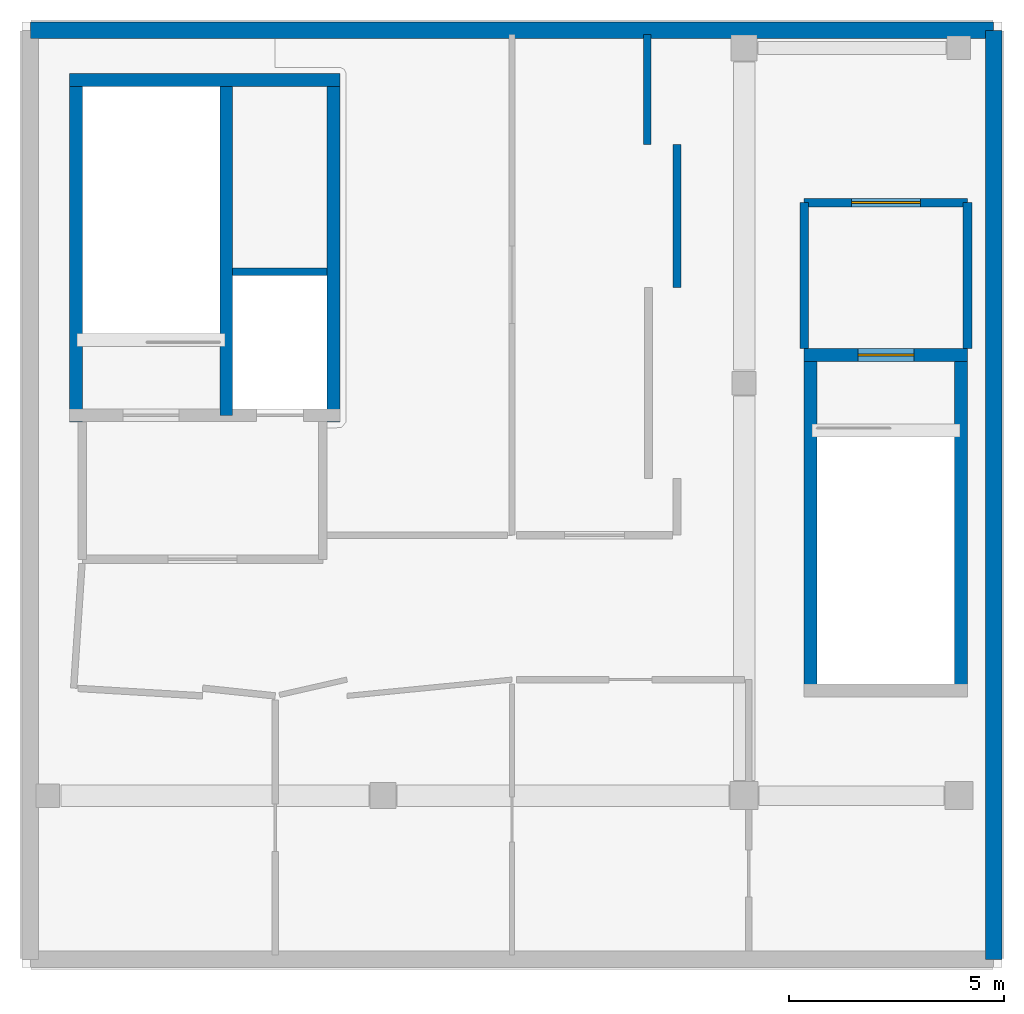
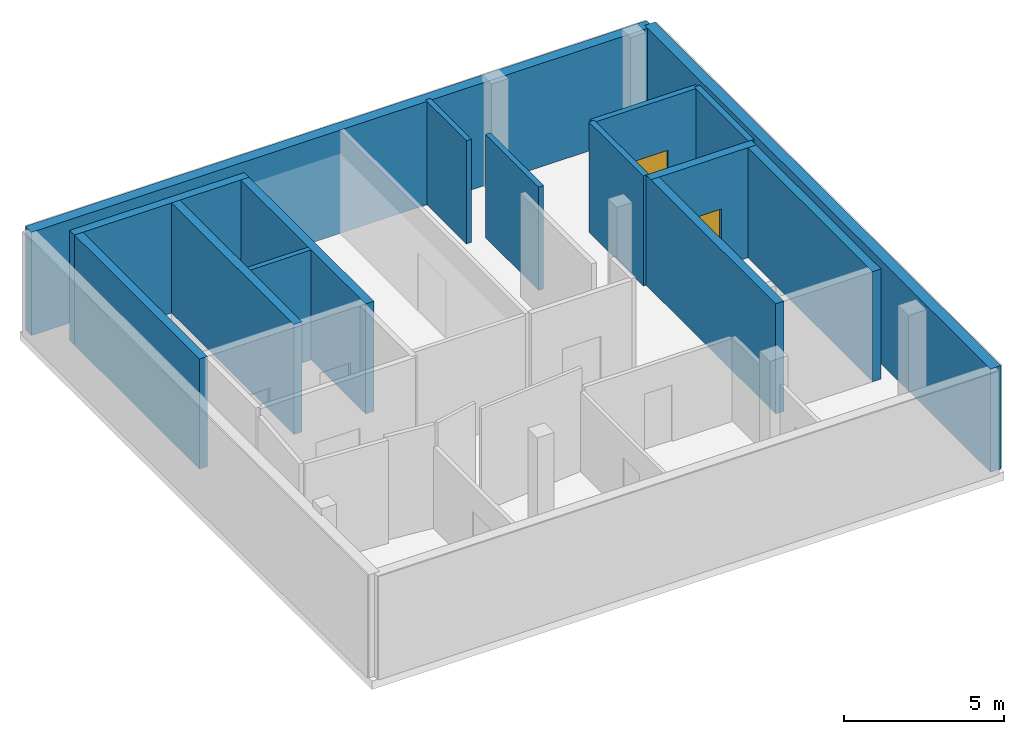
# One storey, part 2 of 3: 15 walls, 2 doors, 2 openings.
"""IFC4 building model written with IfcOpenShell, lengths in metres."""

from ifc_helpers import new_model, si_unit, direction, frame, frame_2d, origin, place, context, subcontext, project, spatial, rectangle, extrude, material, layer, layer_set, type_object, element, fill, save


model = new_model("IFC4")

# Units and contexts
model_context = context("Model", 3, precision=1e-05, world=origin(), true_north=direction((0.0, 1.0)))
body_context = subcontext(model_context, "Body", "Model", "MODEL_VIEW")
ifc_project = project(units=[si_unit("LENGTHUNIT", "METRE"), si_unit("AREAUNIT", "SQUARE_METRE"), si_unit("VOLUMEUNIT", "CUBIC_METRE"), si_unit("PLANEANGLEUNIT", "RADIAN"), si_unit("MASSUNIT", "GRAM", prefix="KILO")], contexts=[model_context])

# Site, building, storey
site_placement = place(None, origin())
site = spatial("IfcSite", under=ifc_project, at=site_placement, CompositionType="ELEMENT")
building_placement = place(site_placement, origin())
building = spatial("IfcBuilding", under=site, at=building_placement, Name="Mzevani Central Library", CompositionType="ELEMENT")
storey_placement = place(building_placement, frame((0.0, 0.0, 22.5)))
storey = spatial("IfcBuildingStorey", under=building, at=storey_placement, Name="L05", CompositionType="ELEMENT", Elevation=22.5)

# Wall
ifc_material_1 = material(Name="Concrete C35/45", Category="concrete")
ifc_layer_1 = layer(ifc_material_1, 0.199951171875, Name="Compartment Wall 200")
ifc_layer_set_1 = layer_set([ifc_layer_1], Name="Concrete C35/45")
wall_type_1 = type_object("IfcWallType", Name="Compartment Wall 200", PredefinedType="STANDARD", material=ifc_layer_set_1)
wall_1_placement = place(storey_placement, frame((30.60009765625, 110.39990234375, 0.0), z_axis=(0.0, 0.0, 1.0), x_axis=(0.0, 1.0, 0.0)))
element("IfcWall", 1, at=wall_1_placement, inside=storey, type_object=wall_type_1, Name="L05 Stair Vestibule C2B Enclosure Wall 1", PredefinedType="STANDARD", context=body_context, shape_type="SweptSolid", body=[
    extrude(rectangle(XDim=3.400146484375, YDim=0.199951171875, at=frame_2d((1.7001953125, 0.0))), origin(), (0.0, 0.0, 1.0), 4.199951171875),
])

# Wall, opening, door
wall_2_placement = place(storey_placement, frame((30.60009765625, 113.800048828125, 0.0), z_axis=(0.0, 0.0, 1.0), x_axis=(1.0, 0.0, 0.0)))
wall_2 = element("IfcWall", 2, at=wall_2_placement, inside=storey, type_object=wall_type_1, Name="L05 Stair Vestibule C2B Enclosure Wall 2", PredefinedType="STANDARD", context=body_context, shape_type="SweptSolid", body=[
    extrude(rectangle(XDim=3.7998046875, YDim=0.199951171875, at=frame_2d((1.89990234375, 0.0))), origin(), (0.0, 0.0, 1.0), 4.199951171875),
])
opening_1_placement = place(wall_2_placement, frame((1.10009765625, 0.0, 0.0)))
opening_1 = element("IfcOpeningElement", 3, at=opening_1_placement, cuts=wall_2, Name="Opening FD-02", PredefinedType="OPENING", context=body_context, shape_type="SweptSolid", body=[
    extrude(rectangle(XDim=1.60009765625, YDim=2.199951171875, at=frame_2d((0.800048828125, 1.10009765625))), frame((0.0, 0.10986328125, 0.0), z_axis=(0.0, -1.0, 0.0), x_axis=(1.0, 0.0, 0.0)), (0.0, 0.0, 1.0), 0.219970703125),
])
ifc_material_2 = material(Name="Fire-rated steel door assembly", Category="steel")
door_type_1 = type_object("IfcDoorType", Name="Fire Lobby Double Door 1600x2200", OperationType="NOTDEFINED", PredefinedType="DOOR", material=ifc_material_2)
door_1_placement = place(opening_1_placement, origin())
door_1 = element("IfcDoor", 4, at=door_1_placement, inside=storey, type_object=door_type_1, Name="L05 Stair Vestibule C2B Smoke-Control Door", OperationType="DOUBLE_DOOR_SINGLE_SWING", OverallHeight=2.199951171875, OverallWidth=1.60009765625, PredefinedType="DOOR", context=body_context, shape_type="SweptSolid", body=[
    extrude(rectangle(XDim=1.60009765625, YDim=2.199951171875, at=frame_2d((0.800048828125, 1.10009765625))), frame((0.0, 0.02490234375, 0.0), z_axis=(0.0, -1.0, 0.0), x_axis=(1.0, 0.0, 0.0)), (0.0, 0.0, 1.0), 0.050048828125),
])
fill(opening_1, door_1)

# Walls
wall_3_placement = place(storey_placement, frame((34.39990234375, 113.800048828125, 0.0), z_axis=(0.0, 0.0, 1.0), x_axis=(0.0, -1.0, 0.0)))
element("IfcWall", 5, at=wall_3_placement, inside=storey, type_object=wall_type_1, Name="L05 Stair Vestibule C2B Enclosure Wall 3", PredefinedType="STANDARD", context=body_context, shape_type="SweptSolid", body=[
    extrude(rectangle(XDim=3.400146484375, YDim=0.199951171875, at=frame_2d((1.7001953125, 0.0))), origin(), (0.0, 0.0, 1.0), 4.199951171875),
])
ifc_material_3 = material(Name="Concrete C40/50", Category="concrete")
ifc_layer_2 = layer(ifc_material_3, 0.300048828125, Name="Core Shear Wall 300")
ifc_layer_set_2 = layer_set([ifc_layer_2], Name="Concrete C40/50")
wall_type_2 = type_object("IfcWallType", Name="Core Shear Wall 300", PredefinedType="SHEAR", material=ifc_layer_set_2)
wall_4_placement = place(storey_placement, frame((13.64990234375, 108.699951171875, 0.0), z_axis=(0.0, 0.0, 1.0), x_axis=(0.0, 1.0, 0.0)))
element("IfcWall", 6, at=wall_4_placement, inside=storey, type_object=wall_type_2, Name="L05 Core C2A North-West Firefighting Core Shear Wall (-x)", PredefinedType="SHEAR", context=body_context, shape_type="SweptSolid", body=[
    extrude(rectangle(XDim=8.10009765625, YDim=0.300048828125, at=frame_2d((4.050048828125, 0.0))), origin(), (0.0, 0.0, 1.0), 4.199951171875),
])
wall_5_placement = place(storey_placement, frame((13.5, 116.64990234375, 0.0), z_axis=(0.0, 0.0, 1.0), x_axis=(1.0, 0.0, 0.0)))
element("IfcWall", 7, at=wall_5_placement, inside=storey, type_object=wall_type_2, Name="L05 Core C2A North-West Firefighting Core Shear Wall (+y)", PredefinedType="SHEAR", context=body_context, shape_type="SweptSolid", body=[
    extrude(rectangle(XDim=6.300048828125, YDim=0.300048828125, at=frame_2d((3.14990234375, 0.0))), origin(), (0.0, 0.0, 1.0), 4.199951171875),
])
wall_6_placement = place(storey_placement, frame((19.64990234375, 116.800048828125, 0.0), z_axis=(0.0, 0.0, 1.0), x_axis=(0.0, -1.0, 0.0)))
element("IfcWall", 8, at=wall_6_placement, inside=storey, type_object=wall_type_2, Name="L05 Core C2A North-West Firefighting Core Shear Wall (+x)", PredefinedType="SHEAR", context=body_context, shape_type="SweptSolid", body=[
    extrude(rectangle(XDim=8.10009765625, YDim=0.300048828125, at=frame_2d((4.050048828125, 0.0))), origin(), (0.0, 0.0, 1.0), 4.199951171875),
])
wall_7_placement = place(storey_placement, frame((17.14990234375, 108.85009765625, 0.0), z_axis=(0.0, 0.0, 1.0), x_axis=(0.0, 1.0, 0.0)))
element("IfcWall", 9, at=wall_7_placement, inside=storey, type_object=wall_type_2, Name="L05 Core C2A North-West Firefighting Core Hoistway Shear Wall", PredefinedType="SHEAR", context=body_context, shape_type="SweptSolid", body=[
    extrude(rectangle(XDim=7.7998046875, YDim=0.300048828125, at=frame_2d((3.89990234375, 0.0))), origin(), (0.0, 0.0, 1.0), 4.199951171875),
])
wall_8_placement = place(storey_placement, frame((30.75, 102.300048828125, 0.0), z_axis=(0.0, 0.0, 1.0), x_axis=(0.0, 1.0, 0.0)))
element("IfcWall", 10, at=wall_8_placement, inside=storey, type_object=wall_type_2, Name="L05 Core C2B Stacks East Escape Stair Shear Wall (-x)", PredefinedType="SHEAR", context=body_context, shape_type="SweptSolid", body=[
    extrude(rectangle(XDim=8.099853515625, YDim=0.300048828125, at=frame_2d((4.0498046875, 0.0))), origin(), (0.0, 0.0, 1.0), 4.199951171875),
])

# Wall, opening, door
wall_9_placement = place(storey_placement, frame((30.60009765625, 110.25, 0.0), z_axis=(0.0, 0.0, 1.0), x_axis=(1.0, 0.0, 0.0)))
wall_9 = element("IfcWall", 11, at=wall_9_placement, inside=storey, type_object=wall_type_2, Name="L05 Core C2B Stacks East Escape Stair Shear Wall (+y)", PredefinedType="SHEAR", context=body_context, shape_type="SweptSolid", body=[
    extrude(rectangle(XDim=3.7998046875, YDim=0.300048828125, at=frame_2d((1.89990234375, 0.0))), origin(), (0.0, 0.0, 1.0), 4.199951171875),
])
opening_2_placement = place(wall_9_placement, frame((1.25, 0.0, 0.0)))
opening_2 = element("IfcOpeningElement", 12, at=opening_2_placement, cuts=wall_9, Name="Opening FD-01", PredefinedType="OPENING", context=body_context, shape_type="SweptSolid", body=[
    extrude(rectangle(XDim=1.300048828125, YDim=2.199951171875, at=frame_2d((0.64990234375, 1.10009765625))), frame((0.0, 0.16015625, 0.0), z_axis=(0.0, -1.0, 0.0), x_axis=(1.0, 0.0, 0.0)), (0.0, 0.0, 1.0), 0.320068359375),
])
door_type_2 = type_object("IfcDoorType", Name="Fire Stair Door 1300x2200", OperationType="NOTDEFINED", PredefinedType="DOOR", material=ifc_material_2)
door_2_placement = place(opening_2_placement, origin())
door_2 = element("IfcDoor", 13, at=door_2_placement, inside=storey, type_object=door_type_2, Name="L05 ST-04 Protected Exit Stair Door", OperationType="SINGLE_SWING_LEFT", OverallHeight=2.199951171875, OverallWidth=1.300048828125, PredefinedType="DOOR", context=body_context, shape_type="SweptSolid", body=[
    extrude(rectangle(XDim=1.300048828125, YDim=2.199951171875, at=frame_2d((0.64990234375, 1.10009765625))), frame((0.0, 0.02490234375, 0.0), z_axis=(0.0, -1.0, 0.0), x_axis=(1.0, 0.0, 0.0)), (0.0, 0.0, 1.0), 0.050048828125),
])
fill(opening_2, door_2)

# Walls
wall_10_placement = place(storey_placement, frame((34.25, 110.39990234375, 0.0), z_axis=(0.0, 0.0, 1.0), x_axis=(0.0, -1.0, 0.0)))
element("IfcWall", 14, at=wall_10_placement, inside=storey, type_object=wall_type_2, Name="L05 Core C2B Stacks East Escape Stair Shear Wall (+x)", PredefinedType="SHEAR", context=body_context, shape_type="SweptSolid", body=[
    extrude(rectangle(XDim=8.099853515625, YDim=0.300048828125, at=frame_2d((4.0498046875, 0.0))), origin(), (0.0, 0.0, 1.0), 4.199951171875),
])
ifc_material_4 = material(Name="Precast concrete C40/50", Category="concrete")
ifc_layer_3 = layer(ifc_material_4, 0.3798828125, Name="Exterior Thermal Concrete Wall 380")
ifc_layer_set_3 = layer_set([ifc_layer_3], Name="Precast concrete C40/50")
wall_type_3 = type_object("IfcWallType", Name="Exterior Thermal Concrete Wall 380", PredefinedType="STANDARD", material=ifc_layer_set_3)
wall_11_placement = place(storey_placement, frame((12.590087890625, 117.81005859375, 0.0), z_axis=(0.0, 0.0, 1.0), x_axis=(1.0, 0.0, 0.0)))
element("IfcWall", 15, at=wall_11_placement, inside=storey, type_object=wall_type_3, Name="L05 V2 Exterior Thermal Wall (38)", PredefinedType="STANDARD", context=body_context, shape_type="SweptSolid", body=[
    extrude(rectangle(XDim=22.419921875, YDim=0.3798828125, at=frame_2d((11.2099609375, 0.0))), origin(), (0.0, 0.0, 1.0), 3.93994140625),
])
wall_12_placement = place(storey_placement, frame((35.010009765625, 117.81005859375, 0.0), z_axis=(0.0, 0.0, 1.0), x_axis=(0.0, -1.0, 0.0)))
element("IfcWall", 16, at=wall_12_placement, inside=storey, type_object=wall_type_3, Name="L05 V2 Exterior Thermal Wall (39)", PredefinedType="STANDARD", context=body_context, shape_type="SweptSolid", body=[
    extrude(rectangle(XDim=21.6201171875, YDim=0.3798828125, at=frame_2d((10.81005859375, 0.0))), origin(), (0.0, 0.0, 1.0), 3.93994140625),
])
ifc_material_5 = material(Name="Concrete blockwork masonry", Category="masonry")
ifc_layer_4 = layer(ifc_material_5, 0.179931640625, Name="Shaft Enclosure Wall 180")
ifc_layer_set_4 = layer_set([ifc_layer_4], Name="Concrete blockwork masonry")
wall_type_4 = type_object("IfcWallType", Name="Shaft Enclosure Wall 180", PredefinedType="PARTITIONING", material=ifc_layer_set_4)
wall_13_placement = place(storey_placement, frame((17.300048828125, 112.18994140625, 0.0), z_axis=(0.0, 0.0, 1.0), x_axis=(1.0, 0.0, 0.0)))
element("IfcWall", 17, at=wall_13_placement, inside=storey, type_object=wall_type_4, Name="L05 Lift LF-FF1 Hoistway Enclosure Wall", PredefinedType="PARTITIONING", context=body_context, shape_type="SweptSolid", body=[
    extrude(rectangle(XDim=2.199951171875, YDim=0.179931640625, at=frame_2d((1.10009765625, 0.0))), origin(), (0.0, 0.0, 1.0), 4.199951171875),
])
wall_14_placement = place(storey_placement, frame((26.949951171875, 117.7099609375, 0.0), z_axis=(0.0, 0.0, 1.0), x_axis=(0.0, -1.0, 0.0)))
element("IfcWall", 18, at=wall_14_placement, inside=storey, type_object=wall_type_4, Name="L05 V2 Partition IW-04 (621)", PredefinedType="PARTITIONING", context=body_context, shape_type="SweptSolid", body=[
    extrude(rectangle(XDim=2.56005859375, YDim=0.179931640625, at=frame_2d((1.280029296875, 0.0))), origin(), (0.0, 0.0, 1.0), 3.93994140625),
])
wall_15_placement = place(storey_placement, frame((27.639892578125, 115.14990234375, 0.0), z_axis=(0.0, 0.0, 1.0), x_axis=(0.0, -1.0, 0.0)))
element("IfcWall", 19, at=wall_15_placement, inside=storey, type_object=wall_type_4, Name="L05 V2 Partition IW-04 (622)", PredefinedType="PARTITIONING", context=body_context, shape_type="SweptSolid", body=[
    extrude(rectangle(XDim=3.324951171875, YDim=0.179931640625, at=frame_2d((1.66259765625, 0.0))), origin(), (0.0, 0.0, 1.0), 3.93994140625),
])

save(model, "model.ifc")
